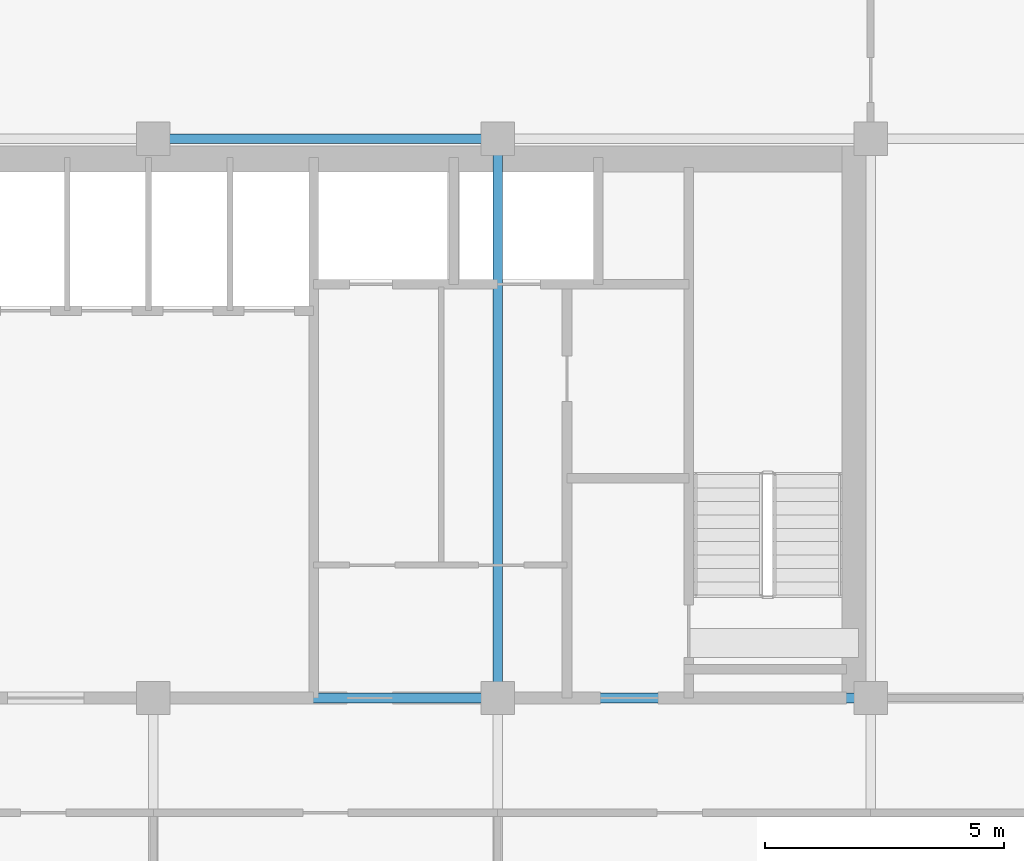
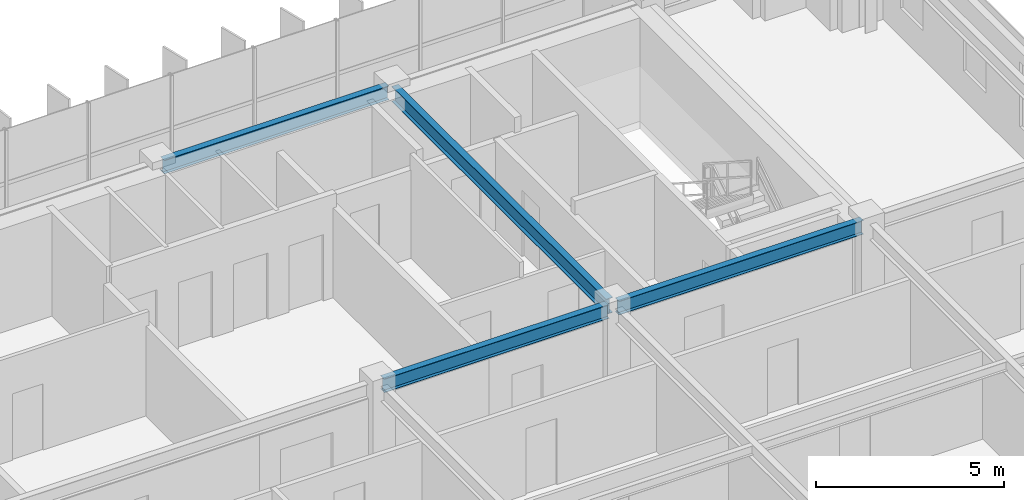
# One storey, part 14 of 27: 4 beams.
"""IFC4 building model written with IfcOpenShell, lengths in metres."""

from ifc_helpers import new_model, si_unit, direction, frame, origin, origin_2d, place, context, subcontext, project, spatial, i_section, extrude, source, transform, mapped, material, material_profile, profile_set, type_object, element, save


model = new_model("IFC4")

# Units and contexts
model_context = context("Model", 3, precision=1e-05, world=origin(), true_north=direction((0.0, 1.0)))
body_context = subcontext(model_context, "Body", "Model", "MODEL_VIEW")
ifc_project = project(units=[si_unit("LENGTHUNIT", "METRE"), si_unit("AREAUNIT", "SQUARE_METRE"), si_unit("VOLUMEUNIT", "CUBIC_METRE"), si_unit("PLANEANGLEUNIT", "RADIAN"), si_unit("MASSUNIT", "GRAM", prefix="KILO")], contexts=[model_context])

# Site, building, storey
site_placement = place(None, origin())
site = spatial("IfcSite", under=ifc_project, at=site_placement, CompositionType="ELEMENT")
building_placement = place(site_placement, origin())
building = spatial("IfcBuilding", under=site, at=building_placement, Name="Trelvane Seafront Commons", CompositionType="ELEMENT")
storey_placement = place(building_placement, frame((0.0, 0.0, 233.699951171875)))
storey = spatial("IfcBuildingStorey", under=building, at=storey_placement, Name="L61", CompositionType="ELEMENT", Elevation=233.699951171875)

# Beams
ifc_material = material(Name="Steel SM355 (S355)", Category="steel")
ifc_material_profile_1 = material_profile(ifc_material, i_section(OverallWidth=0.199951171875, OverallDepth=0.5, WebThickness=0.010009765625, FlangeThickness=0.01611328125, at=origin_2d()), Name="H-500x200x10x16")
ifc_profile_set_1 = profile_set([ifc_material_profile_1], Name="Steel SM355 (S355)")
beam_type_1 = type_object("IfcBeamType", Name="STR-BM-H500", PredefinedType="BEAM", material=ifc_profile_set_1)
shared_shape_1 = source(origin(), body_context, "Body", "SweptSolid", [
    extrude(i_section(OverallWidth=0.199951171875, OverallDepth=0.5, WebThickness=0.010009765625, FlangeThickness=0.01611328125, at=origin_2d()), origin(), (0.0, 0.0, 1.0), 11.39990234375),
])
beam_1_placement = place(storey_placement, frame((51.0, 33.550048828125, 3.110107421875), z_axis=(0.0, 1.0, 0.0), x_axis=(-1.0, 0.0, 0.0)))
element("IfcBeam", 1, at=beam_1_placement, inside=storey, type_object=beam_type_1, Name="L61 Primary Girder G-46", PredefinedType="BEAM", context=body_context, shape_type="MappedRepresentation", body=[
    mapped(shared_shape_1, transform((0.0, 0.0, 0.0), x_axis=(1.0, 0.0, 0.0), y_axis=(0.0, 1.0, 0.0), z_axis=(0.0, 0.0, 1.0), scale=1.0)),
])
ifc_material_profile_2 = material_profile(ifc_material, i_section(OverallWidth=0.199951171875, OverallDepth=0.449951171875, WebThickness=0.009033203125, FlangeThickness=0.013916015625, at=origin_2d()), Name="H-450x200x9x14")
ifc_profile_set_2 = profile_set([ifc_material_profile_2], Name="Steel SM355 (S355)")
beam_type_2 = type_object("IfcBeamType", Name="STR-SPD-H450", PredefinedType="SPANDREL", material=ifc_profile_set_2)
shared_shape_2 = source(origin(), body_context, "Body", "SweptSolid", [
    extrude(i_section(OverallWidth=0.199951171875, OverallDepth=0.449951171875, WebThickness=0.009033203125, FlangeThickness=0.013916015625, at=origin_2d()), origin(), (0.0, 0.0, 1.0), 7.5),
])
beam_2_placement = place(storey_placement, frame((51.14990234375, 33.39990234375, 3.135009765625), z_axis=(1.0, 0.0, 0.0), x_axis=(0.0, 1.0, 0.0)))
element("IfcBeam", 2, at=beam_2_placement, inside=storey, type_object=beam_type_2, Name="L61 Primary Girder G-20", PredefinedType="SPANDREL", context=body_context, shape_type="MappedRepresentation", body=[
    mapped(shared_shape_2, transform((0.0, 0.0, 0.0), x_axis=(1.0, 0.0, 0.0), y_axis=(0.0, 1.0, 0.0), z_axis=(0.0, 0.0, 1.0), scale=1.0)),
])
shared_shape_3 = source(origin(), body_context, "Body", "SweptSolid", [
    extrude(i_section(OverallWidth=0.199951171875, OverallDepth=0.449951171875, WebThickness=0.009033203125, FlangeThickness=0.013916015625, at=origin_2d()), origin(), (0.0, 0.0, 1.0), 6.900146484375),
])
for number, where, z_axis, x_axis, name in (
    (3, (43.949951171875, 33.39990234375, 3.135009765625), (1.0, 0.0, 0.0), (0.0, 1.0, 0.0), "L61 Primary Girder G-19"),
    (4, (43.949951171875, 45.10009765625, 3.135009765625), (1.0, 0.0, 0.0), (0.0, 1.0, 0.0), "L61 Primary Girder G-26"),
):
    element("IfcBeam", number, at=place(storey_placement, frame(where, z_axis=z_axis, x_axis=x_axis)), inside=storey, type_object=beam_type_2, Name=name, PredefinedType="SPANDREL", context=body_context, shape_type="MappedRepresentation", body=[
        mapped(shared_shape_3, transform((0.0, 0.0, 0.0), x_axis=(1.0, 0.0, 0.0), y_axis=(0.0, 1.0, 0.0), z_axis=(0.0, 0.0, 1.0), scale=1.0)),
    ])

save(model, "model.ifc")
